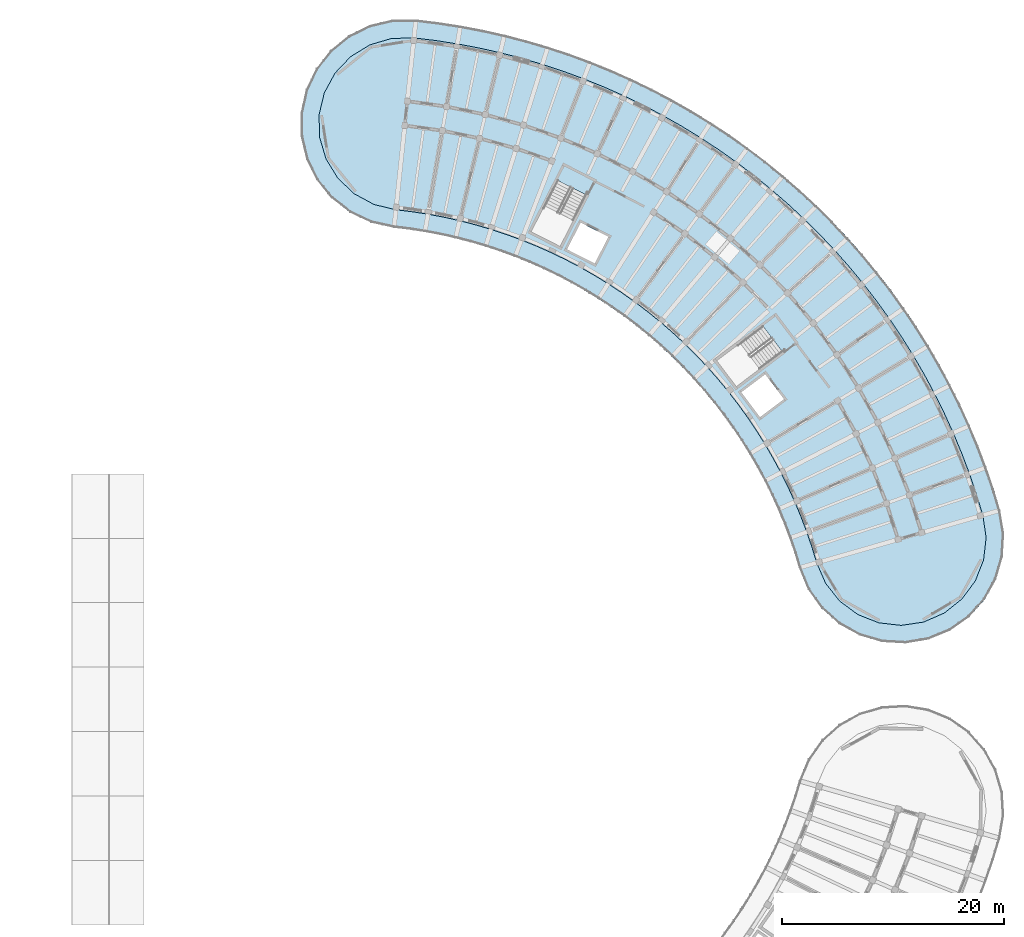
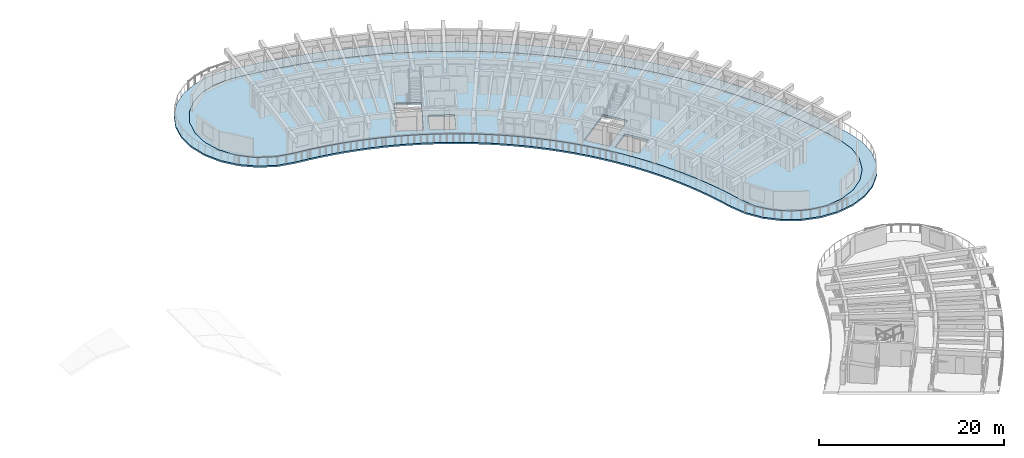
# One storey, part 52 of 96: 2 slabs.
"""IFC4 building model written with IfcOpenShell, lengths in metres."""

from ifc_helpers import new_model, si_unit, direction, frame, origin, place, context, subcontext, project, spatial, polyline, outline, extrude, material, layer, layer_set, type_object, element, save


model = new_model("IFC4")

# Units and contexts
model_context = context("Model", 3, precision=1e-05, world=origin(), true_north=direction((0.0, 1.0)))
body_context = subcontext(model_context, "Body", "Model", "MODEL_VIEW")
ifc_project = project(units=[si_unit("LENGTHUNIT", "METRE"), si_unit("AREAUNIT", "SQUARE_METRE"), si_unit("VOLUMEUNIT", "CUBIC_METRE"), si_unit("PLANEANGLEUNIT", "RADIAN"), si_unit("MASSUNIT", "GRAM", prefix="KILO")], contexts=[model_context])

# Site, building, storey
site_placement = place(None, origin())
site = spatial("IfcSite", under=ifc_project, at=site_placement, CompositionType="ELEMENT")
building_placement = place(site_placement, origin())
building = spatial("IfcBuilding", under=site, at=building_placement, Name="Tanwirah Colonnade Gardens", CompositionType="ELEMENT")
storey_placement = place(building_placement, frame((0.0, 0.0, 12.199951171875)))
storey = spatial("IfcBuildingStorey", under=building, at=storey_placement, Name="L03", CompositionType="ELEMENT", Elevation=12.199951171875)

# Slabs
ifc_material_1 = material(Name="White architectural precast concrete C40/50", Category="concrete")
ifc_layer_1 = layer(ifc_material_1, 0.199951171875)
ifc_layer_set_1 = layer_set([ifc_layer_1], Name="White architectural precast concrete C40/50")
slab_type_1 = type_object("IfcSlabType", Name="SL-BAL-200", PredefinedType="FLOOR", material=ifc_layer_set_1)
slab_1_placement = place(storey_placement, frame((0.0, 0.0, -0.199951171875)))
element("IfcSlab", 1, at=slab_1_placement, inside=storey, type_object=slab_type_1, Name="Block B L03 Continuous White Balcony Ribbon", PredefinedType="FLOOR", context=body_context, shape_type="SweptSolid", body=[
    extrude(outline(polyline([(162.7529296875, 69.996337890625), (163.96875, 68.2783203125), (165.53662109375, 66.873779296875), (167.37744140625, 65.853271484375), (169.3994140625, 65.267822265625), (171.5009765625, 65.147216796875), (173.57666015625, 65.497314453125), (175.522216796875, 66.30029296875), (177.240478515625, 67.516357421875), (178.64501953125, 69.083984375), (179.66552734375, 70.925048828125), (180.250732421875, 72.947021484375), (180.37158203125, 75.048583984375), (180.021484375, 77.1240234375), (179.431640625, 79.060302734375), (178.778076171875, 80.97607421875), (178.06201171875, 82.869140625), (177.28369140625, 84.73779296875), (176.4443359375, 86.57958984375), (175.544677734375, 88.392822265625), (174.585693359375, 90.17529296875), (173.568603515625, 91.92529296875), (172.494384765625, 93.640869140625), (171.3642578125, 95.320068359375), (170.17919921875, 96.9609375), (168.940673828125, 98.56201171875), (167.650146484375, 100.121337890625), (166.30908203125, 101.63720703125), (164.91845703125, 103.108154296875), (163.48046875, 104.532470703125), (161.99609375, 105.90869140625), (160.467041015625, 107.235107421875), (158.895263671875, 108.510498046875), (157.282470703125, 109.7333984375), (155.6298828125, 110.90234375), (153.93994140625, 112.01611328125), (152.214111328125, 113.07373046875), (150.454345703125, 114.073974609375), (148.66259765625, 115.015380859375), (146.8408203125, 115.8974609375), (144.990966796875, 116.718994140625), (143.114990234375, 117.47900390625), (141.21484375, 118.1767578125), (139.29296875, 118.811767578125), (137.35107421875, 119.3828125), (135.391357421875, 119.8896484375), (133.416259765625, 120.33154296875), (131.427490234375, 120.7080078125), (129.42724609375, 121.018798828125), (127.41796875, 121.263671875), (125.313232421875, 121.247802734375), (123.2646484375, 120.76416015625), (121.375, 119.836669921875), (119.7392578125, 118.511962890625), (118.439208984375, 116.8564453125), (117.5400390625, 114.953369140625), (117.0869140625, 112.897705078125), (117.102783203125, 110.792724609375), (117.58642578125, 108.744140625), (118.513916015625, 106.854736328125), (119.838623046875, 105.21875), (121.494140625, 103.918701171875), (123.397216796875, 103.019775390625), (125.452880859375, 102.566650390625), (126.846923828125, 102.396728515625), (128.234619140625, 102.18115234375), (129.614501953125, 101.919921875), (130.98486328125, 101.61328125), (132.344482421875, 101.26171875), (133.69189453125, 100.865478515625), (135.025390625, 100.425048828125), (136.343505859375, 99.94091796875), (137.645263671875, 99.41357421875), (138.9287109375, 98.843505859375), (140.192626953125, 98.231689453125), (141.435791015625, 97.578369140625), (142.65673828125, 96.884521484375), (143.85400390625, 96.150634765625), (145.026611328125, 95.3779296875), (146.173095703125, 94.566650390625), (147.292236328125, 93.71826171875), (148.3828125, 92.83349609375), (149.443603515625, 91.9130859375), (150.473388671875, 90.95849609375), (151.47119140625, 89.97021484375), (152.435791015625, 88.94970703125), (153.366455078125, 87.89794921875), (154.26171875, 86.81591796875), (155.12109375, 85.705078125), (155.943115234375, 84.566650390625), (156.727294921875, 83.401611328125), (157.47265625, 82.21142578125), (158.178466796875, 80.997314453125), (158.84375, 79.760498046875), (159.468017578125, 78.50244140625), (160.05029296875, 77.224609375), (160.590087890625, 75.92822265625), (161.087158203125, 74.61474609375), (161.54052734375, 73.28564453125), (161.94970703125, 71.942138671875), (162.7529296875, 69.996337890625)]), holes=[polyline([(164.31689453125, 70.526123046875), (163.506591796875, 72.39013671875), (163.082275390625, 73.78271484375), (163.08203125, 73.783447265625), (162.611572265625, 75.16259765625), (162.611328125, 75.1630859375), (162.095947265625, 76.52587890625), (162.095703125, 76.526611328125), (161.535400390625, 77.87158203125), (161.53515625, 77.872314453125), (160.930908203125, 79.1982421875), (160.9306640625, 79.19873046875), (160.282958984375, 80.504150390625), (160.28271484375, 80.504638671875), (159.59228515625, 81.787841796875), (159.592041015625, 81.788330078125), (158.85986328125, 83.048095703125), (158.859619140625, 83.048828125), (158.086181640625, 84.28369140625), (158.0859375, 84.2841796875), (157.272216796875, 85.492919921875), (157.271728515625, 85.493408203125), (156.418701171875, 86.6748046875), (156.41845703125, 86.67529296875), (155.52685546875, 87.827880859375), (155.526611328125, 87.828369140625), (154.597412109375, 88.950927734375), (154.59716796875, 88.951416015625), (153.631591796875, 90.042724609375), (153.631103515625, 90.043212890625), (152.630126953125, 91.10205078125), (152.629638671875, 91.1025390625), (151.594482421875, 92.1279296875), (151.593994140625, 92.12841796875), (150.525390625, 93.118896484375), (150.52490234375, 93.119384765625), (149.42431640625, 94.07421875), (149.423828125, 94.07470703125), (148.292236328125, 94.99267578125), (148.291748046875, 94.9931640625), (147.130615234375, 95.87353515625), (147.130126953125, 95.873779296875), (145.940673828125, 96.71533203125), (145.940185546875, 96.7158203125), (144.723388671875, 97.517578125), (144.722900390625, 97.51806640625), (143.48046875, 98.279296875), (143.47998046875, 98.279541015625), (142.213134765625, 98.99951171875), (142.212646484375, 99.0), (140.9228515625, 99.677734375), (140.922119140625, 99.677978515625), (139.61083984375, 100.31298828125), (139.610107421875, 100.313232421875), (138.2783203125, 100.904541015625), (138.27783203125, 100.90478515625), (136.92724609375, 101.451904296875), (136.9267578125, 101.4521484375), (135.55908203125, 101.95458984375), (135.558349609375, 101.954833984375), (134.1748046875, 102.411865234375), (134.174072265625, 102.411865234375), (132.7763671875, 102.822998046875), (132.775634765625, 102.8232421875), (131.364990234375, 103.18798828125), (131.3642578125, 103.188232421875), (129.9423828125, 103.50634765625), (129.941650390625, 103.506591796875), (128.510009765625, 103.777587890625), (128.509521484375, 103.777587890625), (127.069580078125, 104.00146484375), (127.069091796875, 104.00146484375), (125.623779296875, 104.177490234375), (123.6474609375, 104.652099609375), (121.862548828125, 105.62109375), (120.389404296875, 107.01904296875), (119.328369140625, 108.750732421875), (118.75146484375, 110.697998046875), (118.6982421875, 112.728271484375), (119.17236328125, 114.703125), (120.141357421875, 116.488037109375), (121.53955078125, 117.961181640625), (123.271240234375, 119.0224609375), (125.218505859375, 119.59912109375), (127.249755859375, 119.65234375), (129.204833984375, 119.414306640625), (131.15234375, 119.111572265625), (133.088623046875, 118.744873046875), (135.01171875, 118.314697265625), (136.919677734375, 117.8212890625), (138.810302734375, 117.26513671875), (140.681640625, 116.647216796875), (142.531494140625, 115.9677734375), (144.35791015625, 115.227783203125), (146.158935546875, 114.427978515625), (147.932861328125, 113.5693359375), (149.67724609375, 112.652587890625), (151.390625, 111.6787109375), (153.07080078125, 110.649169921875), (154.71630859375, 109.564453125), (156.3251953125, 108.42626953125), (157.8955078125, 107.23583984375), (159.42578125, 105.994140625), (160.914306640625, 104.70263671875), (162.359619140625, 103.36279296875), (163.759765625, 101.97607421875), (165.113525390625, 100.5439453125), (166.41943359375, 99.068115234375), (167.67578125, 97.5498046875), (168.881591796875, 95.990966796875), (170.035400390625, 94.393310546875), (171.1357421875, 92.758544921875), (172.181640625, 91.08837890625), (173.171875, 89.384521484375), (174.10546875, 87.64892578125), (174.9814453125, 85.883544921875), (175.798828125, 84.09033203125), (176.556396484375, 82.271240234375), (177.253662109375, 80.427978515625), (177.889892578125, 78.562744140625), (178.4638671875, 76.6787109375), (178.76416015625, 74.6689453125), (178.534423828125, 72.651123046875), (177.7900390625, 70.761474609375), (176.58203125, 69.12890625), (174.992431640625, 67.864501953125), (173.130126953125, 67.0546875), (171.121337890625, 66.75439453125), (169.103515625, 66.984375), (167.2138671875, 67.728759765625), (165.581298828125, 68.936767578125), (164.31689453125, 70.526123046875)])]), origin(), (0.0, 0.0, 1.0), 0.199951171875),
])
ifc_material_2 = material(Name="Precast concrete C40/50", Category="concrete")
ifc_layer_2 = layer(ifc_material_2, 0.2548828125)
ifc_layer_set_2 = layer_set([ifc_layer_2], Name="Precast concrete C40/50")
slab_type_2 = type_object("IfcSlabType", Name="SL-RES-255", PredefinedType="FLOOR", material=ifc_layer_set_2)
slab_2_placement = place(storey_placement, frame((0.0, 0.0, -0.2548828125)))
element("IfcSlab", 2, at=slab_2_placement, inside=storey, type_object=slab_type_2, Name="Block B L03 Precast Composite Floor Slab", PredefinedType="FLOOR", context=body_context, shape_type="SweptSolid", body=[
    extrude(outline(polyline([(162.5927734375, 75.156005859375), (163.06298828125, 73.777099609375), (163.48779296875, 72.383056640625), (164.2998046875, 70.515869140625), (165.5673828125, 68.92236328125), (167.2041015625, 67.711181640625), (169.0986328125, 66.96484375), (171.121826171875, 66.734375), (173.135498046875, 67.035400390625), (175.0029296875, 67.84716796875), (176.596435546875, 69.11474609375), (177.8076171875, 70.751708984375), (178.553955078125, 72.646240234375), (178.784423828125, 74.669189453125), (178.4833984375, 76.68310546875), (177.908935546875, 78.56884765625), (177.2724609375, 80.434814453125), (176.574951171875, 82.278564453125), (175.817138671875, 84.098388671875), (174.99951171875, 85.892333984375), (174.123291015625, 87.658203125), (173.189453125, 89.394287109375), (172.19873046875, 91.0986328125), (171.152587890625, 92.76953125), (170.0517578125, 94.40478515625), (168.897705078125, 96.0029296875), (167.69140625, 97.562255859375), (166.4345703125, 99.0810546875), (165.12841796875, 100.5576171875), (163.774169921875, 101.990234375), (162.37353515625, 103.377197265625), (160.927734375, 104.717529296875), (159.438720703125, 106.009521484375), (157.907958984375, 107.25146484375), (156.3369140625, 108.442626953125), (154.7275390625, 109.5810546875), (153.08154296875, 110.666015625), (151.400634765625, 111.696044921875), (149.686767578125, 112.669921875), (147.94189453125, 113.587158203125), (146.16748046875, 114.446044921875), (144.36572265625, 115.24609375), (142.53857421875, 115.986328125), (140.688232421875, 116.666015625), (138.816162109375, 117.284423828125), (136.925048828125, 117.840576171875), (135.016357421875, 118.334228515625), (133.092529296875, 118.7646484375), (131.15576171875, 119.13134765625), (129.207763671875, 119.43408203125), (127.250732421875, 119.67236328125), (125.21533203125, 119.619140625), (123.262939453125, 119.040771484375), (121.52685546875, 117.976806640625), (120.125244140625, 116.499755859375), (119.153564453125, 114.71044921875), (118.67822265625, 112.73046875), (118.7314453125, 110.695068359375), (119.309814453125, 108.74267578125), (120.373779296875, 107.00634765625), (121.850830078125, 105.604736328125), (123.64013671875, 104.63330078125), (125.6201171875, 104.157958984375), (127.066650390625, 103.981689453125), (128.50634765625, 103.758056640625), (129.93798828125, 103.48681640625), (131.35986328125, 103.168701171875), (132.770751953125, 102.803955078125), (134.16845703125, 102.392822265625), (135.552001953125, 101.935791015625), (136.919921875, 101.433349609375), (138.270263671875, 100.88623046875), (139.60205078125, 100.294921875), (140.91357421875, 99.659912109375), (142.203369140625, 98.982177734375), (143.47021484375, 98.26220703125), (144.71240234375, 97.5009765625), (145.92919921875, 96.698974609375), (147.11865234375, 95.857421875), (148.27978515625, 94.977294921875), (149.4111328125, 94.05908203125), (150.51171875, 93.104248046875), (151.580322265625, 92.11376953125), (152.61572265625, 91.08837890625), (153.61669921875, 90.029541015625), (154.58203125, 88.938232421875), (155.510986328125, 87.815673828125), (156.402587890625, 86.6630859375), (157.255615234375, 85.48193359375), (158.0693359375, 84.27294921875), (158.842529296875, 83.0380859375), (159.57470703125, 81.7783203125), (160.26513671875, 80.4951171875), (160.91259765625, 79.18994140625), (161.516845703125, 77.864013671875), (162.0771484375, 76.518798828125), (162.5927734375, 75.156005859375)]), holes=[polyline([(160.4169921875, 91.38427734375), (156.2666015625, 88.256591796875), (154.512939453125, 90.583740234375), (158.663330078125, 93.71142578125), (160.4169921875, 91.38427734375)]), polyline([(158.402587890625, 85.5048828125), (156.717529296875, 87.7412109375), (158.873779296875, 89.365966796875), (160.558837890625, 87.1298828125), (158.402587890625, 85.5048828125)]), polyline([(137.8017578125, 102.199951171875), (140.1611328125, 106.830322265625), (142.757568359375, 105.507568359375), (140.398193359375, 100.876953125), (137.8017578125, 102.199951171875)]), polyline([(142.255126953125, 103.01708984375), (144.75, 101.745849609375), (143.524169921875, 99.34033203125), (141.029541015625, 100.611328125), (142.255126953125, 103.01708984375)])]), origin(), (0.0, 0.0, 1.0), 0.2548828125),
])

save(model, "model.ifc")
